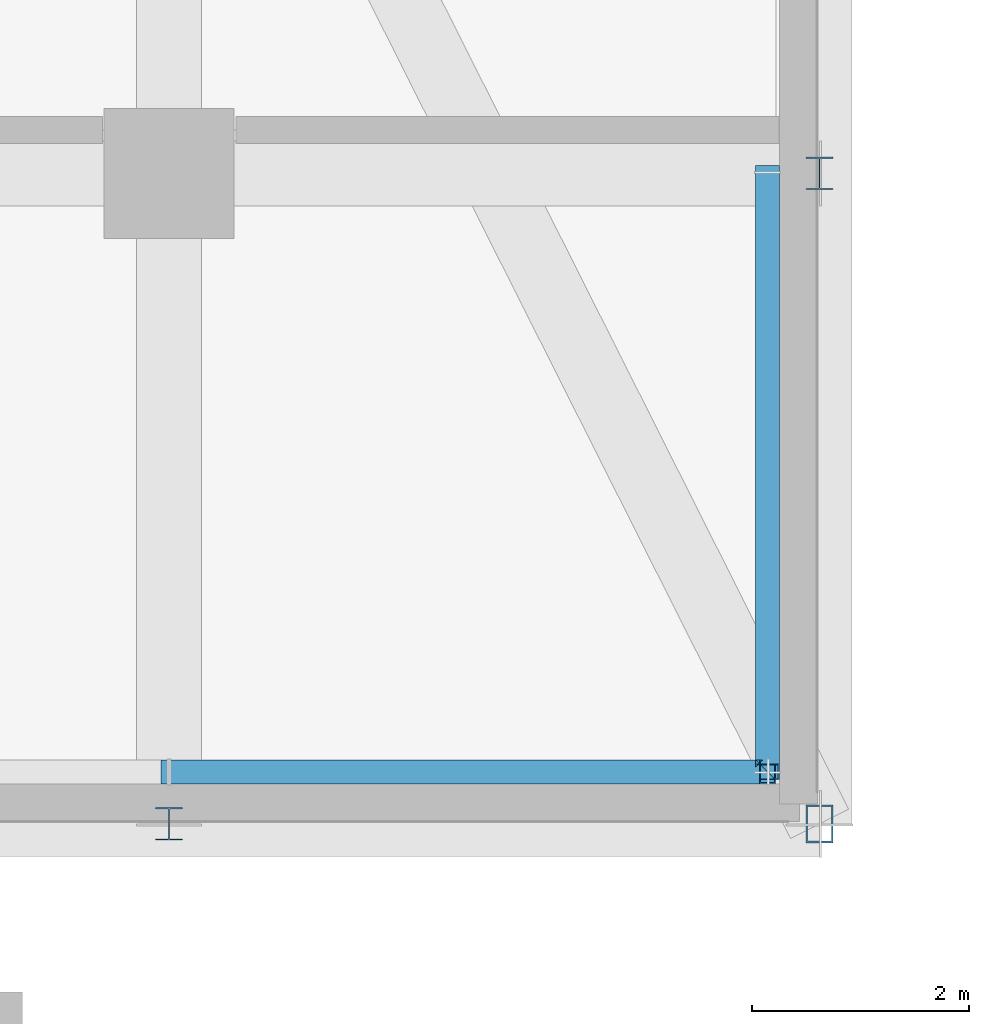
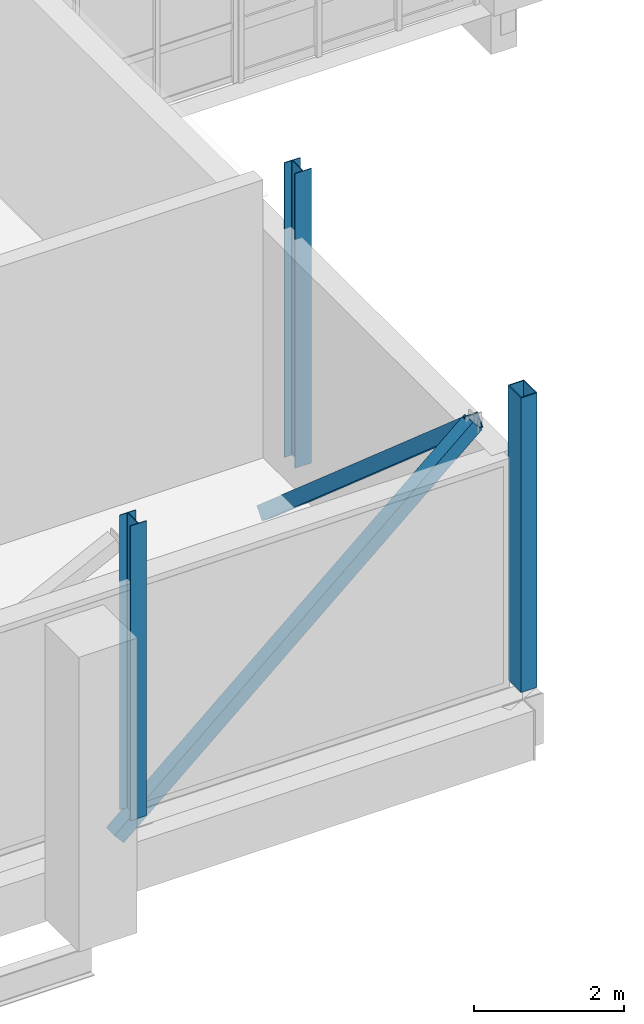
# One storey, part 36 of 100: 5 members.
"""IFC4 building model written with IfcOpenShell, lengths in metres."""

from ifc_helpers import new_model, si_unit, derived_unit, direction, frame, origin, origin_2d, place, context, subcontext, project, spatial, hollow_rectangle, i_section, extrude, material, material_profile, profile_set, type_object, element, save


model = new_model("IFC4")

# Units and contexts
model_context = context("Model", 3, precision=1e-05, world=origin(), true_north=direction((0.0, 1.0)))
body_context = subcontext(model_context, "Body", "Model", "MODEL_VIEW")
ifc_project = project(units=[si_unit("LENGTHUNIT", "METRE"), si_unit("AREAUNIT", "SQUARE_METRE"), si_unit("VOLUMEUNIT", "CUBIC_METRE"), si_unit("PLANEANGLEUNIT", "RADIAN"), si_unit("MASSUNIT", "GRAM", prefix="KILO"), derived_unit("THERMALTRANSMITTANCEUNIT", [(si_unit("POWERUNIT", "WATT"), 1), (si_unit("LENGTHUNIT", "METRE"), -2), (si_unit("THERMODYNAMICTEMPERATUREUNIT", "KELVIN"), -1)])], contexts=[model_context])

# Site, building, storey
site_placement = place(None, origin())
site = spatial("IfcSite", under=ifc_project, at=site_placement, CompositionType="ELEMENT")
building_placement = place(site_placement, origin())
building = spatial("IfcBuilding", under=site, at=building_placement, Name="Nallur Shell Playhouse", CompositionType="ELEMENT")
storey_placement = place(building_placement, frame((0.0, 0.0, 10.199951171875)))
storey = spatial("IfcBuildingStorey", under=building, at=storey_placement, Name="L03", CompositionType="ELEMENT", Elevation=10.199951171875)

# Members
ifc_material = material(Name="Steel E350", Category="steel")
ifc_material_profile_1 = material_profile(ifc_material, i_section(OverallWidth=0.25, OverallDepth=0.300048828125, WebThickness=0.009521484375, FlangeThickness=0.010498046875, FilletRadius=0.010986328125, at=origin_2d()), Name="ISHB 300")
ifc_profile_set_1 = profile_set([ifc_material_profile_1], Name="Steel E350")
member_type_1 = type_object("IfcMemberType", Name="MB-FASCIA-POST", PredefinedType="POST", material=ifc_profile_set_1)
for number, where, z_axis, x_axis, name in (
    (1, (112.60009765625, 10.0, 0.0), (0.0, 0.0, 1.0), (1.0, 0.0, 0.0), "Cantilever truss fascia post POST-GB-L03-07"),
    (2, (118.60009765625, 16.0, 0.0), (0.0, 0.0, 1.0), (1.0, 0.0, 0.0), "Cantilever truss fascia post POST-GB-L03-14"),
):
    element("IfcMember", number, at=place(storey_placement, frame(where, z_axis=z_axis, x_axis=x_axis)), inside=storey, type_object=member_type_1, Name=name, PredefinedType="POST", context=body_context, shape_type="SweptSolid", body=[
        extrude(i_section(OverallWidth=0.25, OverallDepth=0.300048828125, WebThickness=0.009521484375, FlangeThickness=0.010498046875, FilletRadius=0.010986328125, at=origin_2d()), origin(), (0.0, 0.0, 1.0), 4.800048828125),
    ])
ifc_material_profile_2 = material_profile(ifc_material, hollow_rectangle(XDim=0.25, YDim=0.35009765625, WallThickness=0.01611328125, at=origin_2d()), Name="RHS 350x250x16")
ifc_profile_set_2 = profile_set([ifc_material_profile_2], Name="Steel E350")
member_type_2 = type_object("IfcMemberType", Name="MB-FASCIA-RHS", PredefinedType="POST", material=ifc_profile_set_2)
member_placement = place(storey_placement, frame((118.60009765625, 10.0, 0.0), z_axis=(0.0, 0.0, 1.0), x_axis=(1.0, 0.0, 0.0)))
element("IfcMember", 3, at=member_placement, inside=storey, type_object=member_type_2, Name="Cantilever truss fascia post POST-GB-L03-08", PredefinedType="POST", context=body_context, shape_type="SweptSolid", body=[
    extrude(hollow_rectangle(XDim=0.25, YDim=0.35009765625, WallThickness=0.01611328125, at=origin_2d()), origin(), (0.0, 0.0, 1.0), 4.800048828125),
])
ifc_material_profile_3 = material_profile(ifc_material, hollow_rectangle(XDim=0.219970703125, YDim=0.219970703125, WallThickness=0.011962890625, at=origin_2d()), Name="SHS 220x220x12")
ifc_profile_set_3 = profile_set([ifc_material_profile_3], Name="Steel E350")
member_type_3 = type_object("IfcMemberType", Name="MB-FT-BRACE2", PredefinedType="BRACE", material=ifc_profile_set_3)
for number, where, z_axis, x_axis, name in (
    (4, (118.1201171875, 16.0, -0.659912109375), (0.0, -0.754603366631, 0.656181193779), (1.0, 0.0, 0.0), "Gold box fascia brace L03-3"),
    (5, (112.60009765625, 10.47998046875, -0.659912109375), (0.754603366631, 0.0, 0.656181193779), (0.0, 1.0, 0.0), "Gold box fascia brace L03-7"),
):
    element("IfcMember", number, at=place(storey_placement, frame(where, z_axis=z_axis, x_axis=x_axis)), inside=storey, type_object=member_type_3, Name=name, PredefinedType="BRACE", context=body_context, shape_type="SweptSolid", body=[
        extrude(hollow_rectangle(XDim=0.219970703125, YDim=0.219970703125, WallThickness=0.011962890625, at=origin_2d()), origin(), (0.0, 0.0, 1.0), 7.315185546875),
    ])

save(model, "model.ifc")
